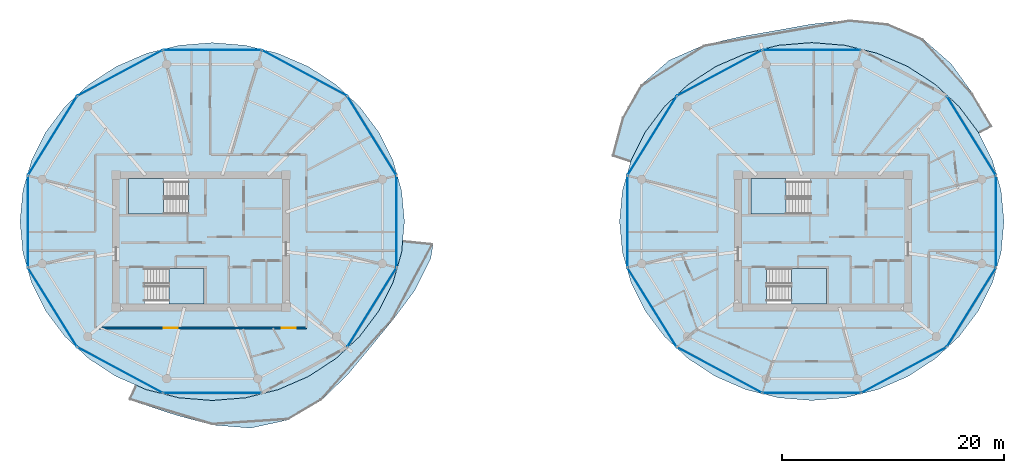
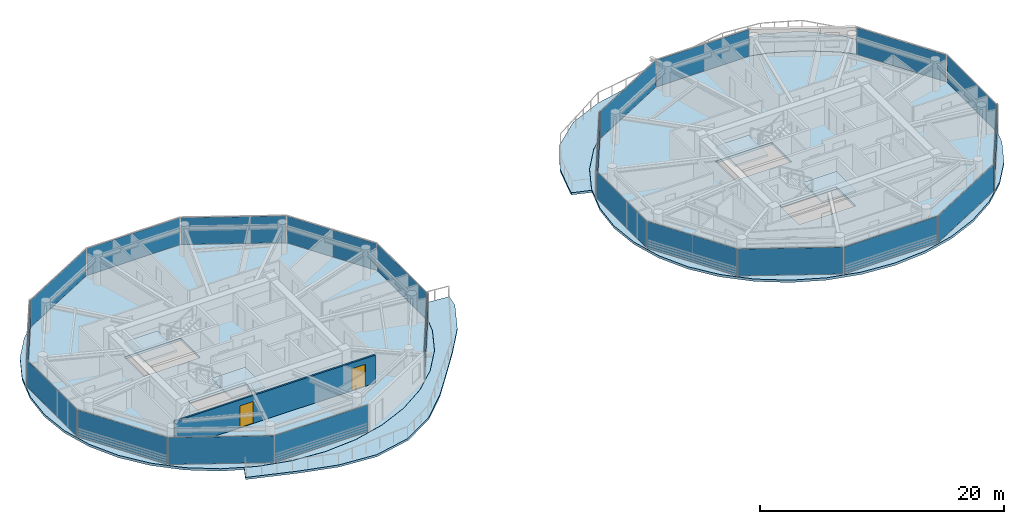
# One storey, part 11 of 22: 22 plates, 8 slabs, 2 doors, 1 wall, 2 openings, 26 elements without a shape of their own.
"""IFC4 building model written with IfcOpenShell, lengths in metres."""

from ifc_helpers import new_model, si_unit, direction, frame, frame_2d, origin, origin_2d, place, context, subcontext, project, spatial, polyline, rectangle, outline, extrude, source, transform, mapped, material, layer, layer_set, type_object, type_shapes, element, fill, aggregate, save


model = new_model("IFC4")

# Units and contexts
model_context = context("Model", 3, precision=1e-05, world=origin(), true_north=direction((0.0, 1.0)))
body_context = subcontext(model_context, "Body", "Model", "MODEL_VIEW")
ifc_project = project(units=[si_unit("LENGTHUNIT", "METRE"), si_unit("AREAUNIT", "SQUARE_METRE"), si_unit("VOLUMEUNIT", "CUBIC_METRE"), si_unit("PLANEANGLEUNIT", "RADIAN"), si_unit("MASSUNIT", "GRAM", prefix="KILO")], contexts=[model_context])

# Site, building, storey
site_placement = place(None, origin())
site = spatial("IfcSite", under=ifc_project, at=site_placement, CompositionType="ELEMENT")
building_placement = place(site_placement, origin())
building = spatial("IfcBuilding", under=site, at=building_placement, Name="Norrkilde Senior Care Towers", CompositionType="ELEMENT")
storey_placement = place(building_placement, frame((0.0, 0.0, 180.050048828125)))
storey = spatial("IfcBuildingStorey", under=building, at=storey_placement, Name="L56", CompositionType="ELEMENT", Elevation=180.050048828125)

# Slabs
ifc_material_1 = material(Name="Concrete C50/60", Category="concrete")
ifc_layer_1 = layer(ifc_material_1, 0.215087890625)
ifc_layer_set_1 = layer_set([ifc_layer_1], Name="Concrete C50/60")
slab_type_1 = type_object("IfcSlabType", Name="Sinusoidal Balcony Ribbon Slab 215", PredefinedType="FLOOR", material=ifc_layer_set_1)
slab_1_placement = place(storey_placement, frame((0.0, 0.0, -0.215087890625)))
element("IfcSlab", 1, at=slab_1_placement, inside=storey, type_object=slab_type_1, Name="L56 Drum W Swirling Senior Balcony 1", PredefinedType="FLOOR", context=body_context, shape_type="SweptSolid", body=[
    extrude(outline(polyline([(-10.7197265625, -7.064453125), (-12.70263671875, -9.492919921875), (-14.756103515625, -11.965087890625), (-17.169921875, -14.317138671875), (-20.13720703125, -16.072021484375), (-23.522705078125, -16.81103515625), (-26.97509765625, -16.53076171875), (-30.236083984375, -15.645751953125), (-33.32568359375, -14.634033203125), (-34.5, -14.255615234375), (-33.878173828125, -12.93115234375), (-32.8935546875, -13.3583984375), (-29.97998046875, -14.0849609375), (-26.97509765625, -14.32958984375), (-23.969970703125, -14.0849609375), (-21.056396484375, -13.3583984375), (-18.322509765625, -12.171875), (-15.8515625, -10.561767578125), (-13.718505859375, -8.57666015625), (-11.988525390625, -6.277099609375), (-10.713623046875, -3.73291015625), (-9.932861328125, -1.021240234375), (-9.83056640625, 0.066162109375), (-7.09375, -0.20654296875), (-7.30224609375, -1.519775390625), (-8.78955078125, -4.485595703125), (-10.7197265625, -7.064453125)])), origin(), (0.0, 0.0, 1.0), 0.215087890625),
])
slab_2_placement = place(storey_placement, frame((0.0, 0.0, -0.215087890625)))
element("IfcSlab", 2, at=slab_2_placement, inside=storey, type_object=slab_type_1, Name="L56 Drum E Swirling Senior Balcony 1", PredefinedType="FLOOR", context=body_context, shape_type="SweptSolid", body=[
    extrude(outline(polyline([(9.919189453125, 11.11181640625), (11.5908203125, 14.046142578125), (14.1513671875, 16.289794921875), (17.28076171875, 17.66162109375), (20.549072265625, 18.4072265625), (23.751953125, 18.96484375), (26.97509765625, 19.544921875), (30.353515625, 19.912841796875), (33.797119140625, 19.576904296875), (36.9658203125, 18.2138671875), (39.53466796875, 15.951904296875), (41.48388671875, 13.257080078125), (43.10791015625, 10.539306640625), (43.23486328125, 10.32421875), (42.0302734375, 9.69091796875), (41.961669921875, 9.827880859375), (40.2314453125, 12.12744140625), (38.098388671875, 14.112548828125), (35.62744140625, 15.72265625), (32.8935546875, 16.9091796875), (29.97998046875, 17.6357421875), (26.97509765625, 17.88037109375), (23.969970703125, 17.6357421875), (21.056396484375, 16.9091796875), (18.322509765625, 15.72265625), (15.8515625, 14.112548828125), (13.718505859375, 12.12744140625), (11.988525390625, 9.827880859375), (10.713623046875, 7.28369140625), (10.66162109375, 7.103271484375), (9.011962890625, 7.641845703125), (9.0556640625, 7.93212890625), (9.919189453125, 11.11181640625)])), origin(), (0.0, 0.0, 1.0), 0.215087890625),
])

# Stair, slab
ifc_material_2 = material(Name="Concrete C45/55", Category="concrete")
stair_type = type_object("IfcStairType", Name="Core Protected Dogleg Stair Typical 3050", PredefinedType="HALF_TURN_STAIR", material=ifc_material_2)
stair_1_placement = place(storey_placement, origin())
stair_1 = element("IfcStair", 3, at=stair_1_placement, inside=storey, type_object=stair_type, Name="L56 Protected Core Stair W1", PredefinedType="HALF_TURN_STAIR")
ifc_layer_2 = layer(ifc_material_2, 0.199951171875)
ifc_layer_set_2 = layer_set([ifc_layer_2], Name="Concrete C45/55")
slab_type_2 = type_object("IfcSlabType", Name="Stair Landing Slab 200", PredefinedType="LANDING", material=ifc_layer_set_2)
slab_3_placement = place(storey_placement, frame((0.0, 0.0, 1.324951171875)))
slab_3 = element("IfcSlab", 4, at=slab_3_placement, type_object=slab_type_2, Name="ST-W1 landing 1", PredefinedType="LANDING", context=body_context, shape_type="SweptSolid", body=[
    extrude(outline(polyline([(-31.340087890625, 5.639892578125), (-34.5, 5.639892578125), (-34.5, 2.449951171875), (-31.340087890625, 2.449951171875), (-31.340087890625, 5.639892578125)])), origin(), (0.0, 0.0, 1.0), 0.199951171875),
])
aggregate(stair_1, [slab_3])

stair_2_placement = place(storey_placement, origin())
stair_2 = element("IfcStair", 5, at=stair_2_placement, inside=storey, type_object=stair_type, Name="L56 Protected Core Stair W2", PredefinedType="HALF_TURN_STAIR")
slab_4_placement = place(storey_placement, frame((0.0, 0.0, 1.324951171875)))
slab_4 = element("IfcSlab", 6, at=slab_4_placement, type_object=slab_type_2, Name="ST-W2 landing 1", PredefinedType="LANDING", context=body_context, shape_type="SweptSolid", body=[
    extrude(outline(polyline([(-30.860107421875, -5.639892578125), (-27.699951171875, -5.639892578125), (-27.699951171875, -2.449951171875), (-30.860107421875, -2.449951171875), (-30.860107421875, -5.639892578125)])), origin(), (0.0, 0.0, 1.0), 0.199951171875),
])
aggregate(stair_2, [slab_4])

stair_3_placement = place(storey_placement, origin())
stair_3 = element("IfcStair", 7, at=stair_3_placement, inside=storey, type_object=stair_type, Name="L56 Protected Core Stair E1", PredefinedType="HALF_TURN_STAIR")
slab_5_placement = place(storey_placement, frame((0.0, 0.0, 1.324951171875)))
slab_5 = element("IfcSlab", 8, at=slab_5_placement, type_object=slab_type_2, Name="ST-E1 landing 1", PredefinedType="LANDING", context=body_context, shape_type="SweptSolid", body=[
    extrude(outline(polyline([(24.659912109375, 5.639892578125), (21.5, 5.639892578125), (21.5, 2.449951171875), (24.659912109375, 2.449951171875), (24.659912109375, 5.639892578125)])), origin(), (0.0, 0.0, 1.0), 0.199951171875),
])
aggregate(stair_3, [slab_5])

stair_4_placement = place(storey_placement, origin())
stair_4 = element("IfcStair", 9, at=stair_4_placement, inside=storey, type_object=stair_type, Name="L56 Protected Core Stair E2", PredefinedType="HALF_TURN_STAIR")
slab_6_placement = place(storey_placement, frame((0.0, 0.0, 1.324951171875)))
slab_6 = element("IfcSlab", 10, at=slab_6_placement, type_object=slab_type_2, Name="ST-E2 landing 1", PredefinedType="LANDING", context=body_context, shape_type="SweptSolid", body=[
    extrude(outline(polyline([(25.139892578125, -5.639892578125), (28.300048828125, -5.639892578125), (28.300048828125, -2.449951171875), (25.139892578125, -2.449951171875), (25.139892578125, -5.639892578125)])), origin(), (0.0, 0.0, 1.0), 0.199951171875),
])
aggregate(stair_4, [slab_6])

# Slabs
ifc_layer_3 = layer(ifc_material_1, 0.239990234375)
ifc_layer_set_3 = layer_set([ifc_layer_3], Name="Concrete C50/60")
slab_type_3 = type_object("IfcSlabType", Name="Tower Residence Floor Slab 240", PredefinedType="FLOOR", material=ifc_layer_set_3)
slab_7_placement = place(storey_placement, frame((0.0, 0.0, -0.239990234375)))
element("IfcSlab", 11, at=slab_7_placement, inside=storey, type_object=slab_type_3, Name="L56 Drum W Structural Floor Slab", PredefinedType="FLOOR", context=body_context, shape_type="SweptSolid", body=[
    extrude(outline(polyline([(-10.71826171875, -3.731201171875), (-11.99267578125, -6.274658203125), (-13.722412109375, -8.573486328125), (-15.854736328125, -10.557861328125), (-18.324951171875, -12.167724609375), (-21.05810546875, -13.353759765625), (-23.970947265625, -14.080078125), (-26.97509765625, -14.32470703125), (-29.97900390625, -14.080078125), (-32.891845703125, -13.353759765625), (-35.625, -12.167724609375), (-38.09521484375, -10.557861328125), (-40.2275390625, -8.573486328125), (-41.957275390625, -6.274658203125), (-43.231689453125, -3.731201171875), (-44.01220703125, -1.020263671875), (-44.27490234375, 1.775390625), (-44.01220703125, 4.571044921875), (-43.231689453125, 7.281982421875), (-41.957275390625, 9.825439453125), (-40.2275390625, 12.124267578125), (-38.09521484375, 14.108642578125), (-35.625, 15.71826171875), (-32.891845703125, 16.904296875), (-29.97900390625, 17.630859375), (-26.97509765625, 17.875244140625), (-23.970947265625, 17.630859375), (-21.05810546875, 16.904296875), (-18.324951171875, 15.71826171875), (-15.854736328125, 14.108642578125), (-13.722412109375, 12.124267578125), (-11.99267578125, 9.825439453125), (-10.71826171875, 7.281982421875), (-9.937744140625, 4.571044921875), (-9.675048828125, 1.775390625), (-9.937744140625, -1.020263671875), (-10.71826171875, -3.731201171875)]), holes=[polyline([(-34.48193359375, 2.468017578125), (-29.117919921875, 2.468017578125), (-29.117919921875, 5.639892578125), (-34.48193359375, 5.639892578125), (-34.48193359375, 2.468017578125)]), polyline([(-27.718017578125, -5.639892578125), (-27.718017578125, -2.468017578125), (-33.08203125, -2.468017578125), (-33.08203125, -5.639892578125), (-27.718017578125, -5.639892578125)])]), origin(), (0.0, 0.0, 1.0), 0.239990234375),
])
slab_8_placement = place(storey_placement, frame((0.0, 0.0, -0.239990234375)))
element("IfcSlab", 12, at=slab_8_placement, inside=storey, type_object=slab_type_3, Name="L56 Drum E Structural Floor Slab", PredefinedType="FLOOR", context=body_context, shape_type="SweptSolid", body=[
    extrude(outline(polyline([(43.231689453125, -3.731201171875), (41.957275390625, -6.274658203125), (40.2275390625, -8.573486328125), (38.09521484375, -10.557861328125), (35.625, -12.167724609375), (32.891845703125, -13.353759765625), (29.97900390625, -14.080078125), (26.97509765625, -14.32470703125), (23.970947265625, -14.080078125), (21.05810546875, -13.353759765625), (18.324951171875, -12.167724609375), (15.854736328125, -10.557861328125), (13.722412109375, -8.573486328125), (11.99267578125, -6.274658203125), (10.71826171875, -3.731201171875), (9.937744140625, -1.020263671875), (9.675048828125, 1.775390625), (9.937744140625, 4.571044921875), (10.71826171875, 7.281982421875), (11.99267578125, 9.825439453125), (13.722412109375, 12.124267578125), (15.854736328125, 14.108642578125), (18.324951171875, 15.71826171875), (21.05810546875, 16.904296875), (23.970947265625, 17.630859375), (26.97509765625, 17.875244140625), (29.97900390625, 17.630859375), (32.891845703125, 16.904296875), (35.625, 15.71826171875), (38.09521484375, 14.108642578125), (40.2275390625, 12.124267578125), (41.957275390625, 9.825439453125), (43.231689453125, 7.281982421875), (44.01220703125, 4.571044921875), (44.27490234375, 1.775390625), (44.01220703125, -1.020263671875), (43.231689453125, -3.731201171875)]), holes=[polyline([(21.51806640625, 2.468017578125), (26.882080078125, 2.468017578125), (26.882080078125, 5.639892578125), (21.51806640625, 5.639892578125), (21.51806640625, 2.468017578125)]), polyline([(28.281982421875, -5.639892578125), (28.281982421875, -2.468017578125), (22.91796875, -2.468017578125), (22.91796875, -5.639892578125), (28.281982421875, -5.639892578125)])]), origin(), (0.0, 0.0, 1.0), 0.239990234375),
])

# Curtain wall, plate
ifc_material_3 = material(Name="Triple Low-E Insulated Glazing", Category="glass")
ifc_layer_4 = layer(ifc_material_3, 0.18994140625)
ifc_layer_set_4 = layer_set([ifc_layer_4], Name="Triple Low-E Insulated Glazing")
curtain_wall_type = type_object("IfcCurtainWallType", Name="CW4 Zone 3 Senior Residence Curtain Wall", PredefinedType="NOTDEFINED", material=ifc_layer_set_4)
curtain_wall_1_placement = place(storey_placement, origin())
curtain_wall_1 = element("IfcCurtainWall", 13, at=curtain_wall_1_placement, inside=storey, type_object=curtain_wall_type, Name="L56 Drum W Curtain Wall 00", PredefinedType="NOTDEFINED")
ifc_layer_5 = layer(ifc_material_3, 0.035888671875)
ifc_layer_set_5 = layer_set([ifc_layer_5], Name="Triple Low-E Insulated Glazing")
plate_type = type_object("IfcPlateType", Name="Triple Low-E Vision Curtain Panel 36", PredefinedType="CURTAIN_PANEL", material=ifc_layer_set_5)
shared_shape_1 = source(origin(), body_context, "Body", "SweptSolid", [
    extrude(rectangle(XDim=8.301513671875, YDim=0.035888671875, at=origin_2d()), origin(), (0.0, 0.0, 1.0), 2.68994140625),
])
plate_1_placement = place(storey_placement, frame((-12.603759765625, 9.4931640625, 0.06005859375), z_axis=(0.0, 0.0, 1.0), x_axis=(0.52737270789, -0.84963405474, 0.0)))
plate_1 = element("IfcPlate", 14, at=plate_1_placement, type_object=plate_type, Name="CW-4 panel 1.1", PredefinedType="CURTAIN_PANEL", context=body_context, shape_type="MappedRepresentation", body=[
    mapped(shared_shape_1, transform((0.0, 0.0, 0.0), x_axis=(1.0, 0.0, 0.0), y_axis=(0.0, 1.0, 0.0), z_axis=(0.0, 0.0, 1.0), scale=1.0)),
])
aggregate(curtain_wall_1, [plate_1])

curtain_wall_2_placement = place(storey_placement, origin())
curtain_wall_2 = element("IfcCurtainWall", 15, at=curtain_wall_2_placement, inside=storey, type_object=curtain_wall_type, Name="L56 Drum W Curtain Wall 04", PredefinedType="NOTDEFINED")
plate_2_placement = place(storey_placement, frame((-41.346435546875, 9.4931640625, 0.06005859375), z_axis=(0.0, 0.0, 1.0), x_axis=(0.52737270789, 0.84963405474, 0.0)))
plate_2 = element("IfcPlate", 16, at=plate_2_placement, type_object=plate_type, Name="CW-4 panel 1.1", PredefinedType="CURTAIN_PANEL", context=body_context, shape_type="MappedRepresentation", body=[
    mapped(shared_shape_1, transform((0.0, 0.0, 0.0), x_axis=(1.0, 0.0, 0.0), y_axis=(0.0, 1.0, 0.0), z_axis=(0.0, 0.0, 1.0), scale=1.0)),
])
aggregate(curtain_wall_2, [plate_2])

curtain_wall_3_placement = place(storey_placement, origin())
curtain_wall_3 = element("IfcCurtainWall", 17, at=curtain_wall_3_placement, inside=storey, type_object=curtain_wall_type, Name="L56 Drum W Curtain Wall 06", PredefinedType="NOTDEFINED")
plate_3_placement = place(storey_placement, frame((-41.346435546875, -5.9423828125, 0.06005859375), z_axis=(0.0, 0.0, 1.0), x_axis=(-0.52737270789, 0.84963405474, 0.0)))
plate_3 = element("IfcPlate", 18, at=plate_3_placement, type_object=plate_type, Name="CW-4 panel 1.1", PredefinedType="CURTAIN_PANEL", context=body_context, shape_type="MappedRepresentation", body=[
    mapped(shared_shape_1, transform((0.0, 0.0, 0.0), x_axis=(1.0, 0.0, 0.0), y_axis=(0.0, 1.0, 0.0), z_axis=(0.0, 0.0, 1.0), scale=1.0)),
])
aggregate(curtain_wall_3, [plate_3])

curtain_wall_4_placement = place(storey_placement, origin())
curtain_wall_4 = element("IfcCurtainWall", 19, at=curtain_wall_4_placement, inside=storey, type_object=curtain_wall_type, Name="L56 Drum W Curtain Wall 10", PredefinedType="NOTDEFINED")
plate_4_placement = place(storey_placement, frame((-12.603759765625, -5.9423828125, 0.06005859375), z_axis=(0.0, 0.0, 1.0), x_axis=(-0.52737270789, -0.84963405474, 0.0)))
plate_4 = element("IfcPlate", 20, at=plate_4_placement, type_object=plate_type, Name="CW-4 panel 1.1", PredefinedType="CURTAIN_PANEL", context=body_context, shape_type="MappedRepresentation", body=[
    mapped(shared_shape_1, transform((0.0, 0.0, 0.0), x_axis=(1.0, 0.0, 0.0), y_axis=(0.0, 1.0, 0.0), z_axis=(0.0, 0.0, 1.0), scale=1.0)),
])
aggregate(curtain_wall_4, [plate_4])

curtain_wall_5_placement = place(storey_placement, origin())
curtain_wall_5 = element("IfcCurtainWall", 21, at=curtain_wall_5_placement, inside=storey, type_object=curtain_wall_type, Name="L56 Drum E Curtain Wall 00", PredefinedType="NOTDEFINED")
plate_5_placement = place(storey_placement, frame((41.346435546875, 9.4931640625, 0.06005859375), z_axis=(0.0, 0.0, 1.0), x_axis=(0.52737270789, -0.84963405474, 0.0)))
plate_5 = element("IfcPlate", 22, at=plate_5_placement, type_object=plate_type, Name="CW-4 panel 1.1", PredefinedType="CURTAIN_PANEL", context=body_context, shape_type="MappedRepresentation", body=[
    mapped(shared_shape_1, transform((0.0, 0.0, 0.0), x_axis=(1.0, 0.0, 0.0), y_axis=(0.0, 1.0, 0.0), z_axis=(0.0, 0.0, 1.0), scale=1.0)),
])
aggregate(curtain_wall_5, [plate_5])

curtain_wall_6_placement = place(storey_placement, origin())
curtain_wall_6 = element("IfcCurtainWall", 23, at=curtain_wall_6_placement, inside=storey, type_object=curtain_wall_type, Name="L56 Drum E Curtain Wall 04", PredefinedType="NOTDEFINED")
plate_6_placement = place(storey_placement, frame((12.603759765625, 9.4931640625, 0.06005859375), z_axis=(0.0, 0.0, 1.0), x_axis=(0.52737270789, 0.84963405474, 0.0)))
plate_6 = element("IfcPlate", 24, at=plate_6_placement, type_object=plate_type, Name="CW-4 panel 1.1", PredefinedType="CURTAIN_PANEL", context=body_context, shape_type="MappedRepresentation", body=[
    mapped(shared_shape_1, transform((0.0, 0.0, 0.0), x_axis=(1.0, 0.0, 0.0), y_axis=(0.0, 1.0, 0.0), z_axis=(0.0, 0.0, 1.0), scale=1.0)),
])
aggregate(curtain_wall_6, [plate_6])

curtain_wall_7_placement = place(storey_placement, origin())
curtain_wall_7 = element("IfcCurtainWall", 25, at=curtain_wall_7_placement, inside=storey, type_object=curtain_wall_type, Name="L56 Drum E Curtain Wall 06", PredefinedType="NOTDEFINED")
plate_7_placement = place(storey_placement, frame((12.603759765625, -5.9423828125, 0.06005859375), z_axis=(0.0, 0.0, 1.0), x_axis=(-0.52737270789, 0.84963405474, 0.0)))
plate_7 = element("IfcPlate", 26, at=plate_7_placement, type_object=plate_type, Name="CW-4 panel 1.1", PredefinedType="CURTAIN_PANEL", context=body_context, shape_type="MappedRepresentation", body=[
    mapped(shared_shape_1, transform((0.0, 0.0, 0.0), x_axis=(1.0, 0.0, 0.0), y_axis=(0.0, 1.0, 0.0), z_axis=(0.0, 0.0, 1.0), scale=1.0)),
])
aggregate(curtain_wall_7, [plate_7])

curtain_wall_8_placement = place(storey_placement, origin())
curtain_wall_8 = element("IfcCurtainWall", 27, at=curtain_wall_8_placement, inside=storey, type_object=curtain_wall_type, Name="L56 Drum E Curtain Wall 10", PredefinedType="NOTDEFINED")
plate_8_placement = place(storey_placement, frame((41.346435546875, -5.9423828125, 0.06005859375), z_axis=(0.0, 0.0, 1.0), x_axis=(-0.52737270789, -0.84963405474, 0.0)))
plate_8 = element("IfcPlate", 28, at=plate_8_placement, type_object=plate_type, Name="CW-4 panel 1.1", PredefinedType="CURTAIN_PANEL", context=body_context, shape_type="MappedRepresentation", body=[
    mapped(shared_shape_1, transform((0.0, 0.0, 0.0), x_axis=(1.0, 0.0, 0.0), y_axis=(0.0, 1.0, 0.0), z_axis=(0.0, 0.0, 1.0), scale=1.0)),
])
aggregate(curtain_wall_8, [plate_8])

curtain_wall_9_placement = place(storey_placement, origin())
curtain_wall_9 = element("IfcCurtainWall", 29, at=curtain_wall_9_placement, inside=storey, type_object=curtain_wall_type, Name="L56 Drum W Curtain Wall 01", PredefinedType="NOTDEFINED")
shared_shape_2 = source(origin(), body_context, "Body", "SweptSolid", [
    extrude(rectangle(XDim=8.61181640625, YDim=0.035888671875, at=origin_2d()), origin(), (0.0, 0.0, 1.0), 2.68994140625),
])
plate_9_placement = place(storey_placement, frame((-18.677734375, 15.142822265625, 0.06005859375), z_axis=(0.0, 0.0, 1.0), x_axis=(0.880999524059, -0.47311715104, 0.0)))
plate_9 = element("IfcPlate", 30, at=plate_9_placement, type_object=plate_type, Name="CW-4 panel 1.1", PredefinedType="CURTAIN_PANEL", context=body_context, shape_type="MappedRepresentation", body=[
    mapped(shared_shape_2, transform((0.0, 0.0, 0.0), x_axis=(1.0, 0.0, 0.0), y_axis=(0.0, 1.0, 0.0), z_axis=(0.0, 0.0, 1.0), scale=1.0)),
])
aggregate(curtain_wall_9, [plate_9])

curtain_wall_10_placement = place(storey_placement, origin())
curtain_wall_10 = element("IfcCurtainWall", 31, at=curtain_wall_10_placement, inside=storey, type_object=curtain_wall_type, Name="L56 Drum W Curtain Wall 03", PredefinedType="NOTDEFINED")
plate_10_placement = place(storey_placement, frame((-35.272216796875, 15.142822265625, 0.06005859375), z_axis=(0.0, 0.0, 1.0), x_axis=(0.880999524059, 0.47311715104, 0.0)))
plate_10 = element("IfcPlate", 32, at=plate_10_placement, type_object=plate_type, Name="CW-4 panel 1.1", PredefinedType="CURTAIN_PANEL", context=body_context, shape_type="MappedRepresentation", body=[
    mapped(shared_shape_2, transform((0.0, 0.0, 0.0), x_axis=(1.0, 0.0, 0.0), y_axis=(0.0, 1.0, 0.0), z_axis=(0.0, 0.0, 1.0), scale=1.0)),
])
aggregate(curtain_wall_10, [plate_10])

curtain_wall_11_placement = place(storey_placement, origin())
curtain_wall_11 = element("IfcCurtainWall", 33, at=curtain_wall_11_placement, inside=storey, type_object=curtain_wall_type, Name="L56 Drum W Curtain Wall 07", PredefinedType="NOTDEFINED")
plate_11_placement = place(storey_placement, frame((-35.272216796875, -11.59228515625, 0.06005859375), z_axis=(0.0, 0.0, 1.0), x_axis=(-0.880999524059, 0.47311715104, 0.0)))
plate_11 = element("IfcPlate", 34, at=plate_11_placement, type_object=plate_type, Name="CW-4 panel 1.1", PredefinedType="CURTAIN_PANEL", context=body_context, shape_type="MappedRepresentation", body=[
    mapped(shared_shape_2, transform((0.0, 0.0, 0.0), x_axis=(1.0, 0.0, 0.0), y_axis=(0.0, 1.0, 0.0), z_axis=(0.0, 0.0, 1.0), scale=1.0)),
])
aggregate(curtain_wall_11, [plate_11])

curtain_wall_12_placement = place(storey_placement, origin())
curtain_wall_12 = element("IfcCurtainWall", 35, at=curtain_wall_12_placement, inside=storey, type_object=curtain_wall_type, Name="L56 Drum E Curtain Wall 03", PredefinedType="NOTDEFINED")
plate_12_placement = place(storey_placement, frame((18.677734375, 15.142822265625, 0.06005859375), z_axis=(0.0, 0.0, 1.0), x_axis=(0.880999524059, 0.47311715104, 0.0)))
plate_12 = element("IfcPlate", 36, at=plate_12_placement, type_object=plate_type, Name="CW-4 panel 1.1", PredefinedType="CURTAIN_PANEL", context=body_context, shape_type="MappedRepresentation", body=[
    mapped(shared_shape_2, transform((0.0, 0.0, 0.0), x_axis=(1.0, 0.0, 0.0), y_axis=(0.0, 1.0, 0.0), z_axis=(0.0, 0.0, 1.0), scale=1.0)),
])
aggregate(curtain_wall_12, [plate_12])

curtain_wall_13_placement = place(storey_placement, origin())
curtain_wall_13 = element("IfcCurtainWall", 37, at=curtain_wall_13_placement, inside=storey, type_object=curtain_wall_type, Name="L56 Drum E Curtain Wall 07", PredefinedType="NOTDEFINED")
plate_13_placement = place(storey_placement, frame((18.677734375, -11.59228515625, 0.06005859375), z_axis=(0.0, 0.0, 1.0), x_axis=(-0.880999524059, 0.47311715104, 0.0)))
plate_13 = element("IfcPlate", 38, at=plate_13_placement, type_object=plate_type, Name="CW-4 panel 1.1", PredefinedType="CURTAIN_PANEL", context=body_context, shape_type="MappedRepresentation", body=[
    mapped(shared_shape_2, transform((0.0, 0.0, 0.0), x_axis=(1.0, 0.0, 0.0), y_axis=(0.0, 1.0, 0.0), z_axis=(0.0, 0.0, 1.0), scale=1.0)),
])
aggregate(curtain_wall_13, [plate_13])

curtain_wall_14_placement = place(storey_placement, origin())
curtain_wall_14 = element("IfcCurtainWall", 39, at=curtain_wall_14_placement, inside=storey, type_object=curtain_wall_type, Name="L56 Drum E Curtain Wall 09", PredefinedType="NOTDEFINED")
plate_14_placement = place(storey_placement, frame((35.272216796875, -11.59228515625, 0.06005859375), z_axis=(0.0, 0.0, 1.0), x_axis=(-0.880999524059, -0.47311715104, 0.0)))
plate_14 = element("IfcPlate", 40, at=plate_14_placement, type_object=plate_type, Name="CW-4 panel 1.1", PredefinedType="CURTAIN_PANEL", context=body_context, shape_type="MappedRepresentation", body=[
    mapped(shared_shape_2, transform((0.0, 0.0, 0.0), x_axis=(1.0, 0.0, 0.0), y_axis=(0.0, 1.0, 0.0), z_axis=(0.0, 0.0, 1.0), scale=1.0)),
])
aggregate(curtain_wall_14, [plate_14])

curtain_wall_15_placement = place(storey_placement, origin())
curtain_wall_15 = element("IfcCurtainWall", 41, at=curtain_wall_15_placement, inside=storey, type_object=curtain_wall_type, Name="L56 Drum W Curtain Wall 02", PredefinedType="NOTDEFINED")
shared_shape_3 = source(origin(), body_context, "Body", "SweptSolid", [
    extrude(rectangle(XDim=8.762939453125, YDim=0.035888671875, at=origin_2d()), origin(), (0.0, 0.0, 1.0), 2.68994140625),
])
plate_15_placement = place(storey_placement, frame((-26.97509765625, 17.2109375, 0.06005859375), z_axis=(0.0, 0.0, 1.0), x_axis=(1.0, 0.0, 0.0)))
plate_15 = element("IfcPlate", 42, at=plate_15_placement, type_object=plate_type, Name="CW-4 panel 1.1", PredefinedType="CURTAIN_PANEL", context=body_context, shape_type="MappedRepresentation", body=[
    mapped(shared_shape_3, transform((0.0, 0.0, 0.0), x_axis=(1.0, 0.0, 0.0), y_axis=(0.0, 1.0, 0.0), z_axis=(0.0, 0.0, 1.0), scale=1.0)),
])
aggregate(curtain_wall_15, [plate_15])

curtain_wall_16_placement = place(storey_placement, origin())
curtain_wall_16 = element("IfcCurtainWall", 43, at=curtain_wall_16_placement, inside=storey, type_object=curtain_wall_type, Name="L56 Drum W Curtain Wall 08", PredefinedType="NOTDEFINED")
plate_16_placement = place(storey_placement, frame((-26.97509765625, -13.66015625, 0.06005859375), z_axis=(0.0, 0.0, 1.0), x_axis=(-1.0, 0.0, 0.0)))
plate_16 = element("IfcPlate", 44, at=plate_16_placement, type_object=plate_type, Name="CW-4 panel 1.1", PredefinedType="CURTAIN_PANEL", context=body_context, shape_type="MappedRepresentation", body=[
    mapped(shared_shape_3, transform((0.0, 0.0, 0.0), x_axis=(1.0, 0.0, 0.0), y_axis=(0.0, 1.0, 0.0), z_axis=(0.0, 0.0, 1.0), scale=1.0)),
])
aggregate(curtain_wall_16, [plate_16])

curtain_wall_17_placement = place(storey_placement, origin())
curtain_wall_17 = element("IfcCurtainWall", 45, at=curtain_wall_17_placement, inside=storey, type_object=curtain_wall_type, Name="L56 Drum E Curtain Wall 02", PredefinedType="NOTDEFINED")
plate_17_placement = place(storey_placement, frame((26.97509765625, 17.2109375, 0.06005859375), z_axis=(0.0, 0.0, 1.0), x_axis=(1.0, 0.0, 0.0)))
plate_17 = element("IfcPlate", 46, at=plate_17_placement, type_object=plate_type, Name="CW-4 panel 1.1", PredefinedType="CURTAIN_PANEL", context=body_context, shape_type="MappedRepresentation", body=[
    mapped(shared_shape_3, transform((0.0, 0.0, 0.0), x_axis=(1.0, 0.0, 0.0), y_axis=(0.0, 1.0, 0.0), z_axis=(0.0, 0.0, 1.0), scale=1.0)),
])
aggregate(curtain_wall_17, [plate_17])

curtain_wall_18_placement = place(storey_placement, origin())
curtain_wall_18 = element("IfcCurtainWall", 47, at=curtain_wall_18_placement, inside=storey, type_object=curtain_wall_type, Name="L56 Drum E Curtain Wall 08", PredefinedType="NOTDEFINED")
plate_18_placement = place(storey_placement, frame((26.97509765625, -13.66015625, 0.06005859375), z_axis=(0.0, 0.0, 1.0), x_axis=(-1.0, 0.0, 0.0)))
plate_18 = element("IfcPlate", 48, at=plate_18_placement, type_object=plate_type, Name="CW-4 panel 1.1", PredefinedType="CURTAIN_PANEL", context=body_context, shape_type="MappedRepresentation", body=[
    mapped(shared_shape_3, transform((0.0, 0.0, 0.0), x_axis=(1.0, 0.0, 0.0), y_axis=(0.0, 1.0, 0.0), z_axis=(0.0, 0.0, 1.0), scale=1.0)),
])
aggregate(curtain_wall_18, [plate_18])

curtain_wall_19_placement = place(storey_placement, origin())
curtain_wall_19 = element("IfcCurtainWall", 49, at=curtain_wall_19_placement, inside=storey, type_object=curtain_wall_type, Name="L56 Drum W Curtain Wall 05", PredefinedType="NOTDEFINED")
shared_shape_4 = source(origin(), body_context, "Body", "SweptSolid", [
    extrude(rectangle(XDim=8.141845703125, YDim=0.035888671875, at=origin_2d()), origin(), (0.0, 0.0, 1.0), 2.68994140625),
])
type_shapes(plate_type, [shared_shape_1, shared_shape_2, shared_shape_3, shared_shape_4])
plate_19_placement = place(storey_placement, frame((-43.569580078125, 1.775390625, 0.06005859375), z_axis=(0.0, 0.0, 1.0), x_axis=(0.0, 1.0, 0.0)))
plate_19 = element("IfcPlate", 50, at=plate_19_placement, type_object=plate_type, Name="CW-4 panel 1.1", PredefinedType="CURTAIN_PANEL", context=body_context, shape_type="MappedRepresentation", body=[
    mapped(shared_shape_4, transform((0.0, 0.0, 0.0), x_axis=(1.0, 0.0, 0.0), y_axis=(0.0, 1.0, 0.0), z_axis=(0.0, 0.0, 1.0), scale=1.0)),
])
aggregate(curtain_wall_19, [plate_19])

curtain_wall_20_placement = place(storey_placement, origin())
curtain_wall_20 = element("IfcCurtainWall", 51, at=curtain_wall_20_placement, inside=storey, type_object=curtain_wall_type, Name="L56 Drum W Curtain Wall 11", PredefinedType="NOTDEFINED")
plate_20_placement = place(storey_placement, frame((-10.38037109375, 1.775390625, 0.06005859375), z_axis=(0.0, 0.0, 1.0), x_axis=(0.0, -1.0, 0.0)))
plate_20 = element("IfcPlate", 52, at=plate_20_placement, type_object=plate_type, Name="CW-4 panel 1.1", PredefinedType="CURTAIN_PANEL", context=body_context, shape_type="MappedRepresentation", body=[
    mapped(shared_shape_4, transform((0.0, 0.0, 0.0), x_axis=(1.0, 0.0, 0.0), y_axis=(0.0, 1.0, 0.0), z_axis=(0.0, 0.0, 1.0), scale=1.0)),
])
aggregate(curtain_wall_20, [plate_20])

curtain_wall_21_placement = place(storey_placement, origin())
curtain_wall_21 = element("IfcCurtainWall", 53, at=curtain_wall_21_placement, inside=storey, type_object=curtain_wall_type, Name="L56 Drum E Curtain Wall 05", PredefinedType="NOTDEFINED")
plate_21_placement = place(storey_placement, frame((10.38037109375, 1.775390625, 0.06005859375), z_axis=(0.0, 0.0, 1.0), x_axis=(0.0, 1.0, 0.0)))
plate_21 = element("IfcPlate", 54, at=plate_21_placement, type_object=plate_type, Name="CW-4 panel 1.1", PredefinedType="CURTAIN_PANEL", context=body_context, shape_type="MappedRepresentation", body=[
    mapped(shared_shape_4, transform((0.0, 0.0, 0.0), x_axis=(1.0, 0.0, 0.0), y_axis=(0.0, 1.0, 0.0), z_axis=(0.0, 0.0, 1.0), scale=1.0)),
])
aggregate(curtain_wall_21, [plate_21])

curtain_wall_22_placement = place(storey_placement, origin())
curtain_wall_22 = element("IfcCurtainWall", 55, at=curtain_wall_22_placement, inside=storey, type_object=curtain_wall_type, Name="L56 Drum E Curtain Wall 11", PredefinedType="NOTDEFINED")
plate_22_placement = place(storey_placement, frame((43.569580078125, 1.775390625, 0.06005859375), z_axis=(0.0, 0.0, 1.0), x_axis=(0.0, -1.0, 0.0)))
plate_22 = element("IfcPlate", 56, at=plate_22_placement, type_object=plate_type, Name="CW-4 panel 1.1", PredefinedType="CURTAIN_PANEL", context=body_context, shape_type="MappedRepresentation", body=[
    mapped(shared_shape_4, transform((0.0, 0.0, 0.0), x_axis=(1.0, 0.0, 0.0), y_axis=(0.0, 1.0, 0.0), z_axis=(0.0, 0.0, 1.0), scale=1.0)),
])
aggregate(curtain_wall_22, [plate_22])

# Wall, openings, doors
ifc_material_4 = material(Name="Gypsum Acoustic Board")
ifc_layer_6 = layer(ifc_material_4, 0.1650390625)
ifc_layer_set_6 = layer_set([ifc_layer_6], Name="Gypsum Acoustic Board")
wall_type = type_object("IfcWallType", Name="Corridor Rated Partition 165", PredefinedType="PARTITIONING", material=ifc_layer_set_6)
shared_shape_5 = source(origin(), body_context, "Body", "SweptSolid", [
    extrude(rectangle(XDim=19.0, YDim=0.1650390625, at=frame_2d((9.5, 0.0))), origin(), (0.0, 0.0, 1.0), 2.794921875),
])
type_shapes(wall_type, [shared_shape_5])
wall_placement = place(storey_placement, frame((-18.5, -7.800048828125, 0.0), z_axis=(0.0, 0.0, 1.0), x_axis=(-1.0, 0.0, 0.0)))
wall = element("IfcWall", 57, at=wall_placement, inside=storey, type_object=wall_type, Name="WL-INT-L56-W-CRW-S-0", PredefinedType="PARTITIONING", context=body_context, shape_type="MappedRepresentation", body=[
    mapped(shared_shape_5, transform((0.0, 0.0, 0.0), x_axis=(1.0, 0.0, 0.0), y_axis=(0.0, 1.0, 0.0), z_axis=(0.0, 0.0, 1.0), scale=1.0)),
])
opening_1_placement = place(wall_placement, frame((11.598388671875, 0.0, 0.0)))
opening_1 = element("IfcOpeningElement", 58, at=opening_1_placement, cuts=wall, Name="Opening D-05", PredefinedType="OPENING", context=body_context, shape_type="SweptSolid", body=[
    extrude(rectangle(XDim=1.25, YDim=2.199951171875, at=frame_2d((0.625, 1.10009765625))), frame((0.0, 0.092529296875, 0.0), z_axis=(0.0, -1.0, 0.0), x_axis=(1.0, 0.0, 0.0)), (0.0, 0.0, 1.0), 0.18505859375),
])
opening_2_placement = place(wall_placement, frame((0.962890625, 0.0, 0.0)))
opening_2 = element("IfcOpeningElement", 59, at=opening_2_placement, cuts=wall, Name="Opening D-05", PredefinedType="OPENING", context=body_context, shape_type="SweptSolid", body=[
    extrude(rectangle(XDim=1.25, YDim=2.199951171875, at=frame_2d((0.625, 1.10009765625))), frame((0.0, 0.092529296875, 0.0), z_axis=(0.0, -1.0, 0.0), x_axis=(1.0, 0.0, 0.0)), (0.0, 0.0, 1.0), 0.18505859375),
])
ifc_material_5 = material(Name="Nordic Ash Timber", Category="wood")
door_type = type_object("IfcDoorType", Name="Care Bedroom Bariatric Door 1250x2200", OperationType="NOTDEFINED", PredefinedType="DOOR", material=ifc_material_5)
shared_shape_6 = source(origin(), body_context, "Body", "SweptSolid", [
    extrude(rectangle(XDim=1.25, YDim=2.199951171875, at=frame_2d((0.625, 1.10009765625))), frame((0.0, 0.02490234375, 0.0), z_axis=(0.0, -1.0, 0.0), x_axis=(1.0, 0.0, 0.0)), (0.0, 0.0, 1.0), 0.050048828125),
])
type_shapes(door_type, [shared_shape_6])
door_1_placement = place(opening_1_placement, frame((1.25, 0.0, 0.0), z_axis=(0.0, 0.0, 1.0), x_axis=(-1.0, 0.0, 0.0)))
door_1 = element("IfcDoor", 60, at=door_1_placement, inside=storey, type_object=door_type, Name="L56 Resident Therapeutic Day Lounge Door", OperationType="SINGLE_SWING_LEFT", OverallHeight=2.199951171875, OverallWidth=1.25, PredefinedType="DOOR", context=body_context, shape_type="MappedRepresentation", body=[
    mapped(shared_shape_6, transform((0.0, 0.0, 0.0), x_axis=(1.0, 0.0, 0.0), y_axis=(0.0, 1.0, 0.0), z_axis=(0.0, 0.0, 1.0), scale=1.0)),
])
fill(opening_1, door_1)
door_2_placement = place(opening_2_placement, frame((1.25, 0.0, 0.0), z_axis=(0.0, 0.0, 1.0), x_axis=(-1.0, 0.0, 0.0)))
door_2 = element("IfcDoor", 61, at=door_2_placement, inside=storey, type_object=door_type, Name="L56 Care Suite 5609 Entrance Door", OperationType="SINGLE_SWING_LEFT", OverallHeight=2.199951171875, OverallWidth=1.25, PredefinedType="DOOR", context=body_context, shape_type="MappedRepresentation", body=[
    mapped(shared_shape_6, transform((0.0, 0.0, 0.0), x_axis=(1.0, 0.0, 0.0), y_axis=(0.0, 1.0, 0.0), z_axis=(0.0, 0.0, 1.0), scale=1.0)),
])
fill(opening_2, door_2)

save(model, "model.ifc")
